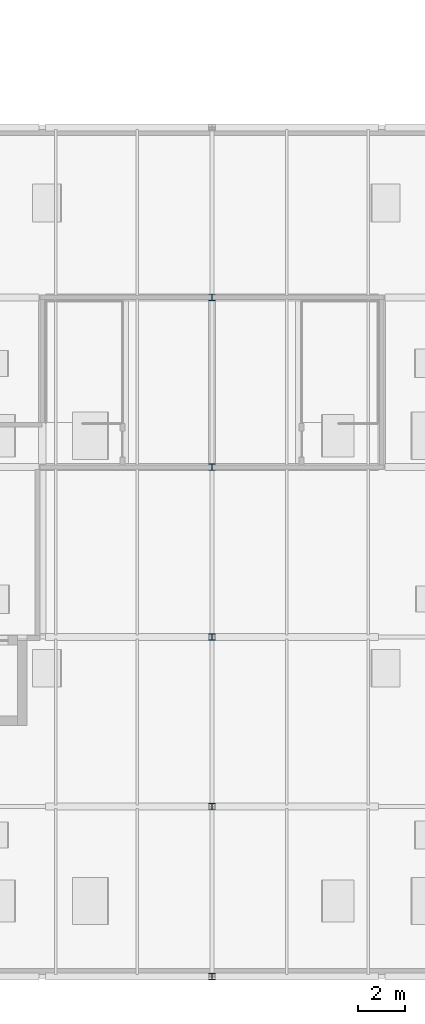
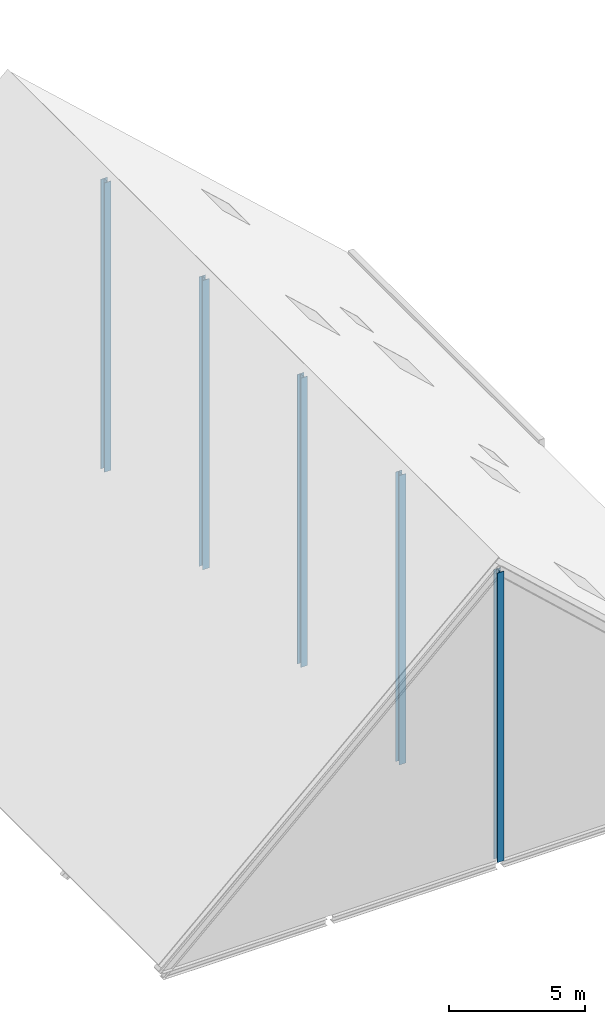
# One storey, part 1 of 35: 5 columns.
"""IFC4 building model written with IfcOpenShell, lengths in metres."""

import ifcopenshell
import ifcopenshell.guid

model = None  # the IFC model being written
_history = None  # IfcOwnerHistory: only IFC2X3 demands one
_inside = {}  # id of a spatial element -> (the spatial element, [elements in it])
_under = {}  # id of a project, library or spatial element -> (it, [spatial elements below it])
_declared = {}  # id of a project -> (the project, [libraries it declares])
_typed = {}  # id of a type object -> (the type object, [elements of that type])
_made_of = {}  # id of a material, layer set ... -> (it, [elements and type objects made of it])


def new_model(schema):
    """Start an empty IFC model of exactly this schema.

    Asked for "IFC4X3", IfcOpenShell would pick the latest addendum, in which some entities
    have other attributes; the version numbers below select the first issue.
    IFC2X3 requires an IfcOwnerHistory on every rooted entity: one is made here for all.
    """
    global model, _history
    if schema == "IFC4X3":
        model = ifcopenshell.file(schema_version=(4, 3, 0, 0))
    else:
        model = ifcopenshell.file(schema=schema)
    _inside.clear()
    _under.clear()
    _declared.clear()
    _typed.clear()
    _made_of.clear()
    _history = None
    if model.schema == "IFC2X3":
        org = make("IfcOrganization", Name="unknown")
        user = make(
            "IfcPersonAndOrganization",
            ThePerson=make("IfcPerson", FamilyName="unknown"),
            TheOrganization=org,
        )
        app = make(
            "IfcApplication",
            ApplicationDeveloper=org,
            Version="unknown",
            ApplicationFullName="unknown",
            ApplicationIdentifier="unknown",
        )
        _history = make(
            "IfcOwnerHistory",
            OwningUser=user,
            OwningApplication=app,
            ChangeAction="ADDED",
            CreationDate=0,
        )
    return model


def make(cls, **values):
    """One entity of the class cls with the attributes given. An attribute that is None is left unset."""
    return model.create_entity(
        cls, **{name: value for name, value in values.items() if value is not None}
    )


def rooted(cls, **values):
    """An entity with a GlobalId (a new one), such as an element, a storey or a relation."""
    return make(cls, GlobalId=ifcopenshell.guid.new(), OwnerHistory=_history, **values)


def si_unit(unit_type, name, prefix=None):
    """IfcSIUnit, for example si_unit("LENGTHUNIT", "METRE", prefix="MILLI")."""
    return make("IfcSIUnit", UnitType=unit_type, Prefix=prefix, Name=name)


def assignment(units):
    """IfcUnitAssignment: the units of a project."""
    return None if units is None else make("IfcUnitAssignment", Units=units)


def point(xyz):
    """IfcCartesianPoint."""
    return None if xyz is None else make("IfcCartesianPoint", Coordinates=xyz)


def direction(xyz):
    """IfcDirection."""
    return None if xyz is None else make("IfcDirection", DirectionRatios=xyz)


def frame(location, z_axis=None, x_axis=None):
    """IfcAxis2Placement3D, a coordinate frame: its origin and axes. An axis left out is left unset."""
    return make(
        "IfcAxis2Placement3D",
        Location=point(location),
        Axis=direction(z_axis),
        RefDirection=direction(x_axis),
    )


def frame_2d(location, x_axis=None):
    """IfcAxis2Placement2D, a coordinate frame in the plane: its origin and x axis."""
    return make(
        "IfcAxis2Placement2D", Location=point(location), RefDirection=direction(x_axis)
    )


def origin():
    """The frame at (0, 0, 0) with its axes left unset."""
    return frame((0.0, 0.0, 0.0))


def origin_2d():
    """The frame at (0, 0) in the plane with its x axis left unset."""
    return frame_2d((0.0, 0.0))


def place(relative_to, where):
    """IfcLocalPlacement: puts the frame where relative to a parent placement (None: the world)."""
    return make(
        "IfcLocalPlacement", PlacementRelTo=relative_to, RelativePlacement=where
    )


def context(
    kind, dimensions, precision=None, world=None, true_north=None, identifier=None
):
    """IfcGeometricRepresentationContext, for example the 3D "Model" context."""
    return make(
        "IfcGeometricRepresentationContext",
        ContextIdentifier=identifier,
        ContextType=kind,
        CoordinateSpaceDimension=dimensions,
        Precision=precision,
        WorldCoordinateSystem=world,
        TrueNorth=true_north,
    )


def subcontext(parent, identifier, kind, view, scale=None):
    """IfcGeometricRepresentationSubContext, for example "Body" below "Model"."""
    return make(
        "IfcGeometricRepresentationSubContext",
        ContextIdentifier=identifier,
        ContextType=kind,
        ParentContext=parent,
        TargetScale=scale,
        TargetView=view,
    )


def project(units=None, contexts=None):
    """IfcProject with its units and contexts."""
    return rooted(
        "IfcProject",
        Name="project",
        RepresentationContexts=contexts,
        UnitsInContext=assignment(units),
    )


def spatial(cls, under=None, at=None, **own):
    """A site, building, storey or space (cls), placed at a placement, below another one or the project."""
    s = rooted(cls, ObjectPlacement=at, **own)
    if under is not None:
        _under.setdefault(under.id(), (under, []))[1].append(s)
    return s


def profile(cls, at=None, kind="AREA", **sizes):
    """A parametric profile (cls). Its sizes go by their IFC names, for example OverallWidth=200.0."""
    return make(cls, ProfileType=kind, Position=at, **sizes)


def i_section(**sizes):
    """IfcIShapeProfileDef."""
    return profile("IfcIShapeProfileDef", **sizes)


def extrude(swept, where, along, depth):
    """IfcExtrudedAreaSolid: the profile swept, set in the frame where, extruded along a direction by depth."""
    return make(
        "IfcExtrudedAreaSolid",
        SweptArea=swept,
        Position=where,
        ExtrudedDirection=direction(along),
        Depth=depth,
    )


def shape(context_of_items, identifier, shape_type, items):
    """IfcShapeRepresentation: the items that make up one representation, for example the "Body"."""
    return make(
        "IfcShapeRepresentation",
        ContextOfItems=context_of_items,
        RepresentationIdentifier=identifier,
        RepresentationType=shape_type,
        Items=items,
    )


def material(Name=None, Category=None):
    """IfcMaterial."""
    return make("IfcMaterial", Name=Name, Category=Category)


def material_profile(
    of_material, cross_section, Name=None, Category=None, Priority=None
):
    """IfcMaterialProfile: a cross section and its material."""
    return make(
        "IfcMaterialProfile",
        Name=Name,
        Material=of_material,
        Profile=cross_section,
        Priority=Priority,
        Category=Category,
    )


def profile_set(profiles, Name=None, composite=None):
    """IfcMaterialProfileSet."""
    return make(
        "IfcMaterialProfileSet",
        Name=Name,
        MaterialProfiles=profiles,
        CompositeProfile=composite,
    )


def made_of(thing, what):
    """Note that an element or type object is made of a material, layer set ...; save() writes the relation."""
    if what is not None:
        _made_of.setdefault(what.id(), (what, []))[1].append(thing)
    return thing


def type_object(cls, material=None, **own):
    """A type object (cls), such as IfcWallType, which elements share."""
    return made_of(rooted(cls, **own), material)


def element(
    cls,
    number,
    at=None,
    inside=None,
    cuts=None,
    type_object=None,
    material=None,
    context=None,
    identifier="Body",
    shape_type=None,
    held_by="IfcProductDefinitionShape",
    body=None,
    shapes=None,
    **own,
):
    """One element of the class cls, such as IfcWall. Its Tag is "e" and its number.

    at: its placement. inside: the storey or other place that contains it. cuts: it is an
    opening in that element (IfcRelVoidsElement). A single representation is given by context,
    identifier, shape_type and body (its items); several are given by shapes. held_by: the class
    of the entity that holds the representations. save() writes the other relations.
    """
    e = rooted(cls, Tag="e%d" % number, ObjectPlacement=at, **own)
    if body is not None:
        shapes = [shape(context, identifier, shape_type, body)]
    if shapes is not None:
        e.Representation = make(held_by, Representations=shapes)
    if inside is not None:
        _inside.setdefault(inside.id(), (inside, []))[1].append(e)
    if cuts is not None:
        rooted(
            "IfcRelVoidsElement", RelatingBuildingElement=cuts, RelatedOpeningElement=e
        )
    if type_object is not None:
        _typed.setdefault(type_object.id(), (type_object, []))[1].append(e)
    return made_of(e, material)


def aggregate(whole, parts):
    """IfcRelAggregates: a whole, such as a stair, and the parts it consists of."""
    return rooted("IfcRelAggregates", RelatingObject=whole, RelatedObjects=parts)


def save(model, path):
    """Write the relations noted so far, then the file.

    IfcRelAggregates (storeys below a building ...), IfcRelContainedInSpatialStructure (elements
    in a storey), IfcRelDefinesByType, IfcRelAssociatesMaterial and IfcRelDeclares: one each for
    every whole, place, type object, material and project.
    """
    for whole, parts in _under.values():
        aggregate(whole, parts)
    for where, things in _inside.values():
        rooted(
            "IfcRelContainedInSpatialStructure",
            RelatedElements=things,
            RelatingStructure=where,
        )
    for kind, things in _typed.values():
        rooted("IfcRelDefinesByType", RelatedObjects=things, RelatingType=kind)
    for what, things in _made_of.values():
        rooted("IfcRelAssociatesMaterial", RelatedObjects=things, RelatingMaterial=what)
    for by, libraries in _declared.values():
        rooted("IfcRelDeclares", RelatingContext=by, RelatedDefinitions=libraries)
    model.write(path)


model = new_model("IFC4")

# Units and contexts
model_context = context("Model", 3, precision=1e-05, world=origin(), true_north=direction((0.0, 1.0)))
body_context = subcontext(model_context, "Body", "Model", "MODEL_VIEW")
ifc_project = project(units=[si_unit("LENGTHUNIT", "METRE"), si_unit("AREAUNIT", "SQUARE_METRE"), si_unit("VOLUMEUNIT", "CUBIC_METRE"), si_unit("PLANEANGLEUNIT", "RADIAN"), si_unit("MASSUNIT", "GRAM", prefix="KILO")], contexts=[model_context])

# Site, building, storey
site_placement = place(None, origin())
site = spatial("IfcSite", under=ifc_project, at=site_placement, CompositionType="ELEMENT")
building_placement = place(site_placement, origin())
building = spatial("IfcBuilding", under=site, at=building_placement, Name="Zarrinpeak Specialist Clinic", CompositionType="ELEMENT")
storey_placement = place(building_placement, frame((0.0, 0.0, 31.60009765625)))
storey = spatial("IfcBuildingStorey", under=building, at=storey_placement, Name="RF", CompositionType="ELEMENT", Elevation=31.60009765625)

# Columns
ifc_material = material(Name="Steel S355", Category="steel")
ifc_material_profile = material_profile(ifc_material, i_section(OverallWidth=0.280029296875, OverallDepth=0.280029296875, WebThickness=0.010498046875, FlangeThickness=0.01806640625, FilletRadius=0.02392578125, at=origin_2d()), Name="HEB 280")
ifc_profile_set = profile_set([ifc_material_profile], Name="Steel S355")
column_type = type_object("IfcColumnType", Name="COL-HEB280", PredefinedType="COLUMN", material=ifc_profile_set)
for number, where, z_axis, x_axis, name in (
    (1, (14.39990234375, 0.0, 0.0), (0.0, 0.0, 1.0), (1.0, 0.0, 0.0), "RF Gable Ridge Column V1 Y=0.0"),
    (2, (14.39990234375, 7.199951171875, 0.0), (0.0, 0.0, 1.0), (1.0, 0.0, 0.0), "RF Gable Ridge Column V1 Y=7.2"),
    (3, (14.39990234375, 14.39990234375, 0.0), (0.0, 0.0, 1.0), (1.0, 0.0, 0.0), "RF Gable Ridge Column V1 Y=14.4"),
    (4, (14.39990234375, 21.60009765625, 0.0), (0.0, 0.0, 1.0), (1.0, 0.0, 0.0), "RF Gable Ridge Column V1 Y=21.6"),
    (5, (14.39990234375, 28.800048828125, 0.0), (0.0, 0.0, 1.0), (1.0, 0.0, 0.0), "RF Gable Ridge Column V1 Y=28.8"),
):
    element("IfcColumn", number, at=place(storey_placement, frame(where, z_axis=z_axis, x_axis=x_axis)), inside=storey, type_object=column_type, Name=name, PredefinedType="COLUMN", context=body_context, shape_type="SweptSolid", body=[
        extrude(i_section(OverallWidth=0.280029296875, OverallDepth=0.280029296875, WebThickness=0.010498046875, FlangeThickness=0.01806640625, FilletRadius=0.02392578125, at=origin_2d()), origin(), (0.0, 0.0, 1.0), 12.949951171875),
    ])

save(model, "model.ifc")
